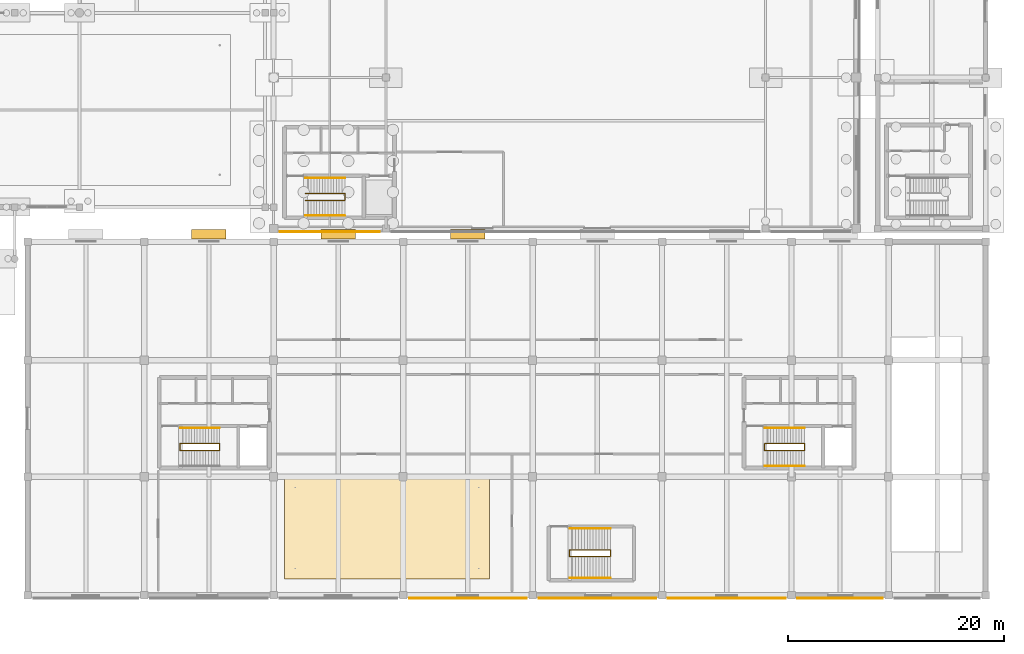
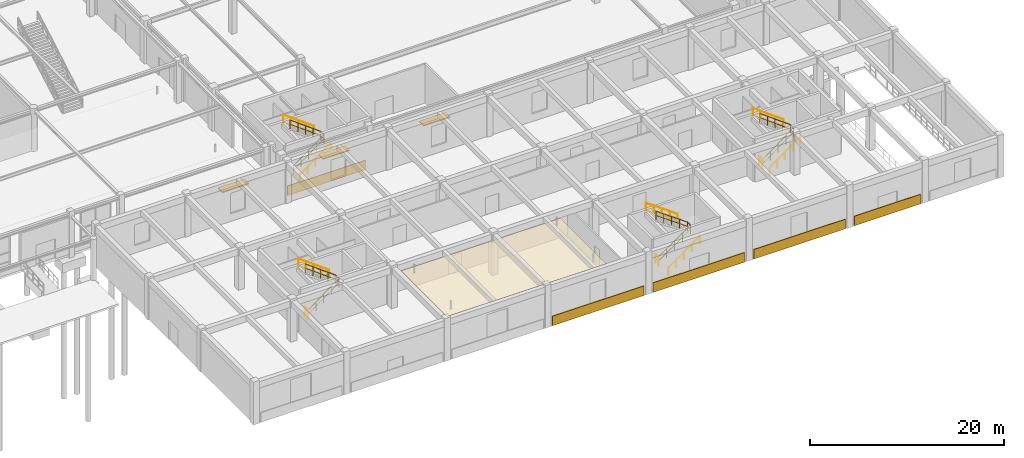
# One storey, part 51 of 53: 14 railings, 6 coverings, 3 shading devices.
"""IFC4 building model written with IfcOpenShell, lengths in metres."""

from ifc_helpers import new_model, si_unit, derived_unit, direction, frame, origin, origin_2d, place, context, subcontext, project, spatial, polyline, rectangle, circle, outline, extrude, material, layer, layer_set, type_object, element, save


model = new_model("IFC4")

# Units and contexts
model_context = context("Model", 3, precision=1e-05, world=origin(), true_north=direction((0.0, 1.0)))
body_context = subcontext(model_context, "Body", "Model", "MODEL_VIEW")
ifc_project = project(units=[si_unit("LENGTHUNIT", "METRE"), si_unit("AREAUNIT", "SQUARE_METRE"), si_unit("VOLUMEUNIT", "CUBIC_METRE"), si_unit("PLANEANGLEUNIT", "RADIAN"), si_unit("MASSUNIT", "GRAM", prefix="KILO"), derived_unit("THERMALTRANSMITTANCEUNIT", [(si_unit("POWERUNIT", "WATT"), 1), (si_unit("LENGTHUNIT", "METRE"), -2), (si_unit("THERMODYNAMICTEMPERATUREUNIT", "KELVIN"), -1)])], contexts=[model_context])

# Site, building, storey
site_placement = place(None, origin())
site = spatial("IfcSite", under=ifc_project, at=site_placement, CompositionType="ELEMENT")
building_placement = place(site_placement, origin())
building = spatial("IfcBuilding", under=site, at=building_placement, Name="Almenara Railside Exhibition Hall", CompositionType="ELEMENT")
storey_placement = place(building_placement, origin())
storey = spatial("IfcBuildingStorey", under=building, at=storey_placement, Name="L00", CompositionType="ELEMENT", Elevation=0.0)

# Covering
ifc_material_1 = material(Name="Perforated iroko acoustic timber ceiling", Category="wood")
ifc_layer_1 = layer(ifc_material_1, 0.0400390625, Name="Perforated iroko acoustic timber ceiling")
ifc_layer_set_1 = layer_set([ifc_layer_1], Name="Perforated iroko acoustic timber ceiling")
covering_type_1 = type_object("IfcCoveringType", Name="Acoustic Slatted Timber Ceiling 40mm", PredefinedType="CEILING", material=ifc_layer_set_1)
covering_1_placement = place(storey_placement, frame((0.0, 0.0, 4.06005859375)))
element("IfcCovering", 1, at=covering_1_placement, inside=storey, type_object=covering_type_1, Name="Acoustic timber ceiling 003", PredefinedType="CEILING", context=body_context, shape_type="SweptSolid", body=[
    extrude(outline(polyline([(139.0, 1.5), (158.0, 1.5), (158.0, 11.0), (139.0, 11.0), (139.0, 1.5)])), origin(), (0.0, 0.0, 1.0), 0.0400390625),
])

# Shading devices
ifc_material_2 = material(Name="Bronze-anodised aluminium solar brise-soleil", Category="aluminium")
shading_device_type = type_object("IfcShadingDeviceType", Name="North Solar Brise-Soleil Hood 900mm", PredefinedType="USERDEFINED", material=ifc_material_2)
for number, where, z_axis, x_axis, name in (
    (2, (132.0, 33.47509765625, 3.56005859375), (0.0, 0.0, 1.0), (-1.0, 0.0, 0.0), "Solar brise-soleil 0015"),
    (3, (144.0, 33.47509765625, 3.56005859375), (0.0, 0.0, 1.0), (-1.0, 0.0, 0.0), "Solar brise-soleil 0016"),
    (4, (156.0, 33.47509765625, 3.56005859375), (0.0, 0.0, 1.0), (-1.0, 0.0, 0.0), "Solar brise-soleil 0017"),
):
    element("IfcShadingDevice", number, at=place(storey_placement, frame(where, z_axis=z_axis, x_axis=x_axis)), inside=storey, type_object=shading_device_type, Name=name, ObjectType="BRISE_SOLEIL", PredefinedType="USERDEFINED", context=body_context, shape_type="SweptSolid", body=[
        extrude(rectangle(XDim=3.199951171875, YDim=0.89990234375, at=origin_2d()), origin(), (0.0, 0.0, 1.0), 0.139892578125),
    ])

# Coverings
ifc_material_3 = material(Name="Koppie quartzite dressed stone cladding", Category="masonry")
ifc_layer_2 = layer(ifc_material_3, 0.080078125, Name="Koppie quartzite dressed stone cladding")
ifc_layer_set_2 = layer_set([ifc_layer_2], Name="Koppie quartzite dressed stone cladding")
covering_type_2 = type_object("IfcCoveringType", Name="Rusticated Koppie Quartzite Plinth Cladding 80mm", PredefinedType="CLADDING", material=ifc_layer_set_2)
covering_2_placement = place(storey_placement, frame((143.199951171875, 33.705078125, 0.0), z_axis=(0.0, 0.0, 1.0), x_axis=(1.0, 0.0, 0.0)))
element("IfcCovering", 5, at=covering_2_placement, inside=storey, type_object=covering_type_2, Name="Stone plinth cladding 0023", PredefinedType="CLADDING", context=body_context, shape_type="SweptSolid", body=[
    extrude(rectangle(XDim=9.300048828125, YDim=0.080078125, at=origin_2d()), origin(), (0.0, 0.0, 1.0), 1.199951171875),
])
for number, where, z_axis, x_axis, name in (
    (6, (156.0, -0.264892578125, 0.0), (0.0, 0.0, 1.0), (1.0, 0.0, 0.0), "Stone plinth cladding 0050"),
    (7, (168.0, -0.264892578125, 0.0), (0.0, 0.0, 1.0), (1.0, 0.0, 0.0), "Stone plinth cladding 0051"),
    (8, (180.0, -0.264892578125, 0.0), (0.0, 0.0, 1.0), (1.0, 0.0, 0.0), "Stone plinth cladding 0052"),
):
    element("IfcCovering", number, at=place(storey_placement, frame(where, z_axis=z_axis, x_axis=x_axis)), inside=storey, type_object=covering_type_2, Name=name, PredefinedType="CLADDING", context=body_context, shape_type="SweptSolid", body=[
        extrude(rectangle(XDim=10.89990234375, YDim=0.080078125, at=origin_2d()), origin(), (0.0, 0.0, 1.0), 1.199951171875),
    ])
covering_3_placement = place(storey_placement, frame((190.5, -0.264892578125, 0.0), z_axis=(0.0, 0.0, 1.0), x_axis=(1.0, 0.0, 0.0)))
element("IfcCovering", 9, at=covering_3_placement, inside=storey, type_object=covering_type_2, Name="Stone plinth cladding 0053", PredefinedType="CLADDING", context=body_context, shape_type="SweptSolid", body=[
    extrude(rectangle(XDim=7.89990234375, YDim=0.080078125, at=origin_2d()), origin(), (0.0, 0.0, 1.0), 1.199951171875),
])

# Railings
ifc_material_4 = material(Name="Bronze-finished tubular steel handrail", Category="steel")
railing_type_1 = type_object("IfcRailingType", Name="Stair Pitch Handrail 920mm", PredefinedType="HANDRAIL", material=ifc_material_4)
railing_1_placement = place(storey_placement, frame((140.949951171875, 35.199951171875, 0.0)))
element("IfcRailing", 10, at=railing_1_placement, inside=storey, type_object=railing_type_1, Name="HR-L00-0017", PredefinedType="HANDRAIL", context=body_context, shape_type="SweptSolid", body=[
    extrude(circle(Radius=0.02392578125, at=origin_2d()), frame((0.0, 0.0, 0.89599609375), z_axis=(0.803944740431, 0.0, 0.594704005647), x_axis=(0.0, 1.0, 0.0)), (0.0, 0.0, 1.0), 4.5400390625),
    extrude(circle(Radius=0.02099609375, at=origin_2d()), origin(), (0.0, 0.0, 1.0), 0.871826171875),
    extrude(circle(Radius=0.02099609375, at=origin_2d()), frame((0.91259765625, 0.0, 0.675048828125)), (0.0, 0.0, 1.0), 0.871826171875),
    extrude(circle(Radius=0.02099609375, at=origin_2d()), frame((1.824951171875, 0.0, 1.35009765625)), (0.0, 0.0, 1.0), 0.871826171875),
    extrude(circle(Radius=0.02099609375, at=origin_2d()), frame((2.7373046875, 0.0, 2.02490234375)), (0.0, 0.0, 1.0), 0.871826171875),
    extrude(circle(Radius=0.02099609375, at=origin_2d()), frame((3.64990234375, 0.0, 2.699951171875)), (0.0, 0.0, 1.0), 0.871826171875),
])
railing_2_placement = place(storey_placement, frame((144.599853515625, 38.699951171875, 2.699951171875)))
element("IfcRailing", 11, at=railing_2_placement, inside=storey, type_object=railing_type_1, Name="HR-L00-0018", PredefinedType="HANDRAIL", context=body_context, shape_type="SweptSolid", body=[
    extrude(circle(Radius=0.02392578125, at=origin_2d()), frame((0.0, 0.0, 0.89599609375), z_axis=(-0.803944740431, 0.0, 0.594704005647), x_axis=(0.0, -1.0, 0.0)), (0.0, 0.0, 1.0), 4.5400390625),
    extrude(circle(Radius=0.02099609375, at=origin_2d()), origin(), (0.0, 0.0, 1.0), 0.871826171875),
    extrude(circle(Radius=0.02099609375, at=origin_2d()), frame((-0.91259765625, 0.0, 0.675048828125)), (0.0, 0.0, 1.0), 0.871826171875),
    extrude(circle(Radius=0.02099609375, at=origin_2d()), frame((-1.824951171875, 0.0, 1.35009765625)), (0.0, 0.0, 1.0), 0.871826171875),
    extrude(circle(Radius=0.02099609375, at=origin_2d()), frame((-2.7373046875, 0.0, 2.02490234375)), (0.0, 0.0, 1.0), 0.871826171875),
    extrude(circle(Radius=0.02099609375, at=origin_2d()), frame((-3.64990234375, 0.0, 2.699951171875)), (0.0, 0.0, 1.0), 0.871826171875),
])
railing_3_placement = place(storey_placement, frame((132.999755859375, 15.5, 2.699951171875)))
element("IfcRailing", 12, at=railing_3_placement, inside=storey, type_object=railing_type_1, Name="HR-L00-0034", PredefinedType="HANDRAIL", context=body_context, shape_type="SweptSolid", body=[
    extrude(circle(Radius=0.02392578125, at=origin_2d()), frame((0.0, 0.0, 0.89599609375), z_axis=(-0.803925720239, 0.0, 0.594729717046), x_axis=(0.0, -1.0, 0.0)), (0.0, 0.0, 1.0), 4.539794921875),
    extrude(circle(Radius=0.02099609375, at=origin_2d()), origin(), (0.0, 0.0, 1.0), 0.871826171875),
    extrude(circle(Radius=0.02099609375, at=origin_2d()), frame((-0.912353515625, 0.0, 0.675048828125)), (0.0, 0.0, 1.0), 0.871826171875),
    extrude(circle(Radius=0.02099609375, at=origin_2d()), frame((-1.82470703125, 0.0, 1.35009765625)), (0.0, 0.0, 1.0), 0.871826171875),
    extrude(circle(Radius=0.02099609375, at=origin_2d()), frame((-2.7373046875, 0.0, 2.02490234375)), (0.0, 0.0, 1.0), 0.871826171875),
    extrude(circle(Radius=0.02099609375, at=origin_2d()), frame((-3.649658203125, 0.0, 2.699951171875)), (0.0, 0.0, 1.0), 0.871826171875),
])
railing_4_placement = place(storey_placement, frame((183.550048828125, 12.0, 0.0)))
element("IfcRailing", 13, at=railing_4_placement, inside=storey, type_object=railing_type_1, Name="HR-L00-0049", PredefinedType="HANDRAIL", context=body_context, shape_type="SweptSolid", body=[
    extrude(circle(Radius=0.02392578125, at=origin_2d()), frame((0.0, 0.0, 0.89599609375), z_axis=(0.803925720239, 0.0, 0.594729717046), x_axis=(0.0, 1.0, 0.0)), (0.0, 0.0, 1.0), 4.539794921875),
    extrude(circle(Radius=0.02099609375, at=origin_2d()), origin(), (0.0, 0.0, 1.0), 0.871826171875),
    extrude(circle(Radius=0.02099609375, at=origin_2d()), frame((0.912353515625, 0.0, 0.675048828125)), (0.0, 0.0, 1.0), 0.871826171875),
    extrude(circle(Radius=0.02099609375, at=origin_2d()), frame((1.82470703125, 0.0, 1.35009765625)), (0.0, 0.0, 1.0), 0.871826171875),
    extrude(circle(Radius=0.02099609375, at=origin_2d()), frame((2.7373046875, 0.0, 2.02490234375)), (0.0, 0.0, 1.0), 0.871826171875),
    extrude(circle(Radius=0.02099609375, at=origin_2d()), frame((3.649658203125, 0.0, 2.699951171875)), (0.0, 0.0, 1.0), 0.871826171875),
])
railing_5_placement = place(storey_placement, frame((187.19970703125, 15.5, 2.699951171875)))
element("IfcRailing", 14, at=railing_5_placement, inside=storey, type_object=railing_type_1, Name="HR-L00-0050", PredefinedType="HANDRAIL", context=body_context, shape_type="SweptSolid", body=[
    extrude(circle(Radius=0.02392578125, at=origin_2d()), frame((0.0, 0.0, 0.89599609375), z_axis=(-0.803925720239, 0.0, 0.594729717046), x_axis=(0.0, -1.0, 0.0)), (0.0, 0.0, 1.0), 4.539794921875),
    extrude(circle(Radius=0.02099609375, at=origin_2d()), origin(), (0.0, 0.0, 1.0), 0.871826171875),
    extrude(circle(Radius=0.02099609375, at=origin_2d()), frame((-0.912353515625, 0.0, 0.675048828125)), (0.0, 0.0, 1.0), 0.871826171875),
    extrude(circle(Radius=0.02099609375, at=origin_2d()), frame((-1.82470703125, 0.0, 1.35009765625)), (0.0, 0.0, 1.0), 0.871826171875),
    extrude(circle(Radius=0.02099609375, at=origin_2d()), frame((-2.7373046875, 0.0, 2.02490234375)), (0.0, 0.0, 1.0), 0.871826171875),
    extrude(circle(Radius=0.02099609375, at=origin_2d()), frame((-3.649658203125, 0.0, 2.699951171875)), (0.0, 0.0, 1.0), 0.871826171875),
])
railing_6_placement = place(storey_placement, frame((165.449951171875, 1.60009765625, 0.0)))
element("IfcRailing", 15, at=railing_6_placement, inside=storey, type_object=railing_type_1, Name="HR-L00-0113", PredefinedType="HANDRAIL", context=body_context, shape_type="SweptSolid", body=[
    extrude(circle(Radius=0.02392578125, at=origin_2d()), frame((0.0, 0.0, 0.89599609375), z_axis=(0.813740573448, 0.0, 0.581228250453), x_axis=(0.0, 1.0, 0.0)), (0.0, 0.0, 1.0), 4.645263671875),
    extrude(circle(Radius=0.02099609375, at=origin_2d()), origin(), (0.0, 0.0, 1.0), 0.871826171875),
    extrude(circle(Radius=0.02099609375, at=origin_2d()), frame((0.945068359375, 0.0, 0.675048828125)), (0.0, 0.0, 1.0), 0.871826171875),
    extrude(circle(Radius=0.02099609375, at=origin_2d()), frame((1.89013671875, 0.0, 1.35009765625)), (0.0, 0.0, 1.0), 0.871826171875),
    extrude(circle(Radius=0.02099609375, at=origin_2d()), frame((2.8349609375, 0.0, 2.02490234375)), (0.0, 0.0, 1.0), 0.871826171875),
    extrude(circle(Radius=0.02099609375, at=origin_2d()), frame((3.780029296875, 0.0, 2.699951171875)), (0.0, 0.0, 1.0), 0.871826171875),
])
railing_7_placement = place(storey_placement, frame((169.22998046875, 6.199951171875, 2.699951171875)))
element("IfcRailing", 16, at=railing_7_placement, inside=storey, type_object=railing_type_1, Name="HR-L00-0114", PredefinedType="HANDRAIL", context=body_context, shape_type="SweptSolid", body=[
    extrude(circle(Radius=0.02392578125, at=origin_2d()), frame((0.0, 0.0, 0.89599609375), z_axis=(-0.813740573448, 0.0, 0.581228250453), x_axis=(0.0, -1.0, 0.0)), (0.0, 0.0, 1.0), 4.645263671875),
    extrude(circle(Radius=0.02099609375, at=origin_2d()), origin(), (0.0, 0.0, 1.0), 0.871826171875),
    extrude(circle(Radius=0.02099609375, at=origin_2d()), frame((-0.945068359375, 0.0, 0.675048828125)), (0.0, 0.0, 1.0), 0.871826171875),
    extrude(circle(Radius=0.02099609375, at=origin_2d()), frame((-1.89013671875, 0.0, 1.35009765625)), (0.0, 0.0, 1.0), 0.871826171875),
    extrude(circle(Radius=0.02099609375, at=origin_2d()), frame((-2.8349609375, 0.0, 2.02490234375)), (0.0, 0.0, 1.0), 0.871826171875),
    extrude(circle(Radius=0.02099609375, at=origin_2d()), frame((-3.780029296875, 0.0, 2.699951171875)), (0.0, 0.0, 1.0), 0.871826171875),
])
ifc_material_5 = material(Name="Dark wrought-iron stair balustrade")
railing_type_2 = type_object("IfcRailingType", Name="Stair Well Guard Rail 1120mm", PredefinedType="BALUSTRADE", material=ifc_material_5)
railing_8_placement = place(storey_placement, frame((140.949951171875, 36.6298828125, 0.0)))
element("IfcRailing", 17, at=railing_8_placement, inside=storey, type_object=railing_type_2, Name="SG-L00-0019", PredefinedType="BALUSTRADE", context=body_context, shape_type="SweptSolid", body=[
    extrude(circle(Radius=0.02392578125, at=origin_2d()), frame((0.0, 0.0, 1.09619140625), z_axis=(0.803944740431, 0.0, 0.594704005647), x_axis=(0.0, 1.0, 0.0)), (0.0, 0.0, 1.0), 4.5400390625),
    extrude(circle(Radius=0.01416015625, at=origin_2d()), frame((0.0, 0.0, 0.56005859375), z_axis=(0.803944740431, 0.0, 0.594704005647), x_axis=(0.0, 1.0, 0.0)), (0.0, 0.0, 1.0), 4.5400390625),
    extrude(circle(Radius=0.02392578125, at=origin_2d()), frame((3.64990234375, 0.0, 3.7958984375), z_axis=(0.0, 1.0, 0.0), x_axis=(-1.0, 0.0, 0.0)), (0.0, 0.0, 1.0), 0.64013671875),
    extrude(circle(Radius=0.01416015625, at=origin_2d()), frame((3.64990234375, 0.0, 3.260009765625), z_axis=(0.0, 1.0, 0.0), x_axis=(-1.0, 0.0, 0.0)), (0.0, 0.0, 1.0), 0.64013671875),
    extrude(circle(Radius=0.02392578125, at=origin_2d()), frame((3.64990234375, 0.64013671875, 3.7958984375), z_axis=(-0.803944740431, 0.0, 0.594704005647), x_axis=(0.0, -1.0, 0.0)), (0.0, 0.0, 1.0), 4.5400390625),
    extrude(circle(Radius=0.01416015625, at=origin_2d()), frame((3.64990234375, 0.64013671875, 3.260009765625), z_axis=(-0.803944740431, 0.0, 0.594704005647), x_axis=(0.0, -1.0, 0.0)), (0.0, 0.0, 1.0), 4.5400390625),
    extrude(circle(Radius=0.02099609375, at=origin_2d()), origin(), (0.0, 0.0, 1.0), 1.072021484375),
    extrude(circle(Radius=0.02099609375, at=origin_2d()), frame((0.91259765625, 0.0, 0.675048828125)), (0.0, 0.0, 1.0), 1.072021484375),
    extrude(circle(Radius=0.02099609375, at=origin_2d()), frame((1.824951171875, 0.0, 1.35009765625)), (0.0, 0.0, 1.0), 1.072021484375),
    extrude(circle(Radius=0.02099609375, at=origin_2d()), frame((2.7373046875, 0.0, 2.02490234375)), (0.0, 0.0, 1.0), 1.072021484375),
    extrude(circle(Radius=0.02099609375, at=origin_2d()), frame((3.64990234375, 0.0, 2.699951171875)), (0.0, 0.0, 1.0), 1.072021484375),
    extrude(circle(Radius=0.02099609375, at=origin_2d()), frame((3.64990234375, 0.64013671875, 2.699951171875)), (0.0, 0.0, 1.0), 1.072021484375),
    extrude(circle(Radius=0.02099609375, at=origin_2d()), frame((2.7373046875, 0.64013671875, 3.375)), (0.0, 0.0, 1.0), 1.072021484375),
    extrude(circle(Radius=0.02099609375, at=origin_2d()), frame((1.824951171875, 0.64013671875, 4.0498046875)), (0.0, 0.0, 1.0), 1.072021484375),
    extrude(circle(Radius=0.02099609375, at=origin_2d()), frame((0.91259765625, 0.64013671875, 4.724853515625)), (0.0, 0.0, 1.0), 1.072021484375),
    extrude(circle(Radius=0.02099609375, at=origin_2d()), frame((0.0, 0.64013671875, 5.39990234375)), (0.0, 0.0, 1.0), 1.072021484375),
])
railing_9_placement = place(storey_placement, frame((129.320068359375, 13.429931640625, 0.0)))
element("IfcRailing", 18, at=railing_9_placement, inside=storey, type_object=railing_type_2, Name="SG-L00-0032", PredefinedType="BALUSTRADE", context=body_context, shape_type="SweptSolid", body=[
    extrude(circle(Radius=0.02392578125, at=origin_2d()), frame((0.0, 0.0, 1.09619140625), z_axis=(0.0, 1.0, 0.0), x_axis=(-1.0, 0.0, 0.0)), (0.0, 0.0, 1.0), 0.64013671875),
    extrude(circle(Radius=0.01416015625, at=origin_2d()), frame((0.0, 0.0, 0.56005859375), z_axis=(0.0, 1.0, 0.0), x_axis=(-1.0, 0.0, 0.0)), (0.0, 0.0, 1.0), 0.64013671875),
    extrude(circle(Radius=0.02099609375, at=origin_2d()), origin(), (0.0, 0.0, 1.0), 1.072021484375),
    extrude(circle(Radius=0.02099609375, at=origin_2d()), frame((0.0, 0.64013671875, 0.0)), (0.0, 0.0, 1.0), 1.072021484375),
])
railing_10_placement = place(storey_placement, frame((129.35009765625, 13.429931640625, 0.0)))
element("IfcRailing", 19, at=railing_10_placement, inside=storey, type_object=railing_type_2, Name="SG-L00-0035", PredefinedType="BALUSTRADE", context=body_context, shape_type="SweptSolid", body=[
    extrude(circle(Radius=0.02392578125, at=origin_2d()), frame((0.0, 0.0, 1.09619140625), z_axis=(0.803925720239, 0.0, 0.594729717046), x_axis=(0.0, 1.0, 0.0)), (0.0, 0.0, 1.0), 4.539794921875),
    extrude(circle(Radius=0.01416015625, at=origin_2d()), frame((0.0, 0.0, 0.56005859375), z_axis=(0.803925720239, 0.0, 0.594729717046), x_axis=(0.0, 1.0, 0.0)), (0.0, 0.0, 1.0), 4.539794921875),
    extrude(circle(Radius=0.02392578125, at=origin_2d()), frame((3.649658203125, 0.0, 3.7958984375), z_axis=(0.0, 1.0, 0.0), x_axis=(-1.0, 0.0, 0.0)), (0.0, 0.0, 1.0), 0.64013671875),
    extrude(circle(Radius=0.01416015625, at=origin_2d()), frame((3.649658203125, 0.0, 3.260009765625), z_axis=(0.0, 1.0, 0.0), x_axis=(-1.0, 0.0, 0.0)), (0.0, 0.0, 1.0), 0.64013671875),
    extrude(circle(Radius=0.02392578125, at=origin_2d()), frame((3.649658203125, 0.64013671875, 3.7958984375), z_axis=(-0.803925720239, 0.0, 0.594729717046), x_axis=(0.0, -1.0, 0.0)), (0.0, 0.0, 1.0), 4.539794921875),
    extrude(circle(Radius=0.01416015625, at=origin_2d()), frame((3.649658203125, 0.64013671875, 3.260009765625), z_axis=(-0.803925720239, 0.0, 0.594729717046), x_axis=(0.0, -1.0, 0.0)), (0.0, 0.0, 1.0), 4.539794921875),
    extrude(circle(Radius=0.02099609375, at=origin_2d()), origin(), (0.0, 0.0, 1.0), 1.072021484375),
    extrude(circle(Radius=0.02099609375, at=origin_2d()), frame((0.912353515625, 0.0, 0.675048828125)), (0.0, 0.0, 1.0), 1.072021484375),
    extrude(circle(Radius=0.02099609375, at=origin_2d()), frame((1.82470703125, 0.0, 1.35009765625)), (0.0, 0.0, 1.0), 1.072021484375),
    extrude(circle(Radius=0.02099609375, at=origin_2d()), frame((2.7373046875, 0.0, 2.02490234375)), (0.0, 0.0, 1.0), 1.072021484375),
    extrude(circle(Radius=0.02099609375, at=origin_2d()), frame((3.649658203125, 0.0, 2.699951171875)), (0.0, 0.0, 1.0), 1.072021484375),
    extrude(circle(Radius=0.02099609375, at=origin_2d()), frame((3.649658203125, 0.64013671875, 2.699951171875)), (0.0, 0.0, 1.0), 1.072021484375),
    extrude(circle(Radius=0.02099609375, at=origin_2d()), frame((2.7373046875, 0.64013671875, 3.375)), (0.0, 0.0, 1.0), 1.072021484375),
    extrude(circle(Radius=0.02099609375, at=origin_2d()), frame((1.82470703125, 0.64013671875, 4.0498046875)), (0.0, 0.0, 1.0), 1.072021484375),
    extrude(circle(Radius=0.02099609375, at=origin_2d()), frame((0.912353515625, 0.64013671875, 4.724853515625)), (0.0, 0.0, 1.0), 1.072021484375),
    extrude(circle(Radius=0.02099609375, at=origin_2d()), frame((0.0, 0.64013671875, 5.39990234375)), (0.0, 0.0, 1.0), 1.072021484375),
])
railing_11_placement = place(storey_placement, frame((183.52001953125, 13.429931640625, 0.0)))
element("IfcRailing", 20, at=railing_11_placement, inside=storey, type_object=railing_type_2, Name="SG-L00-0048", PredefinedType="BALUSTRADE", context=body_context, shape_type="SweptSolid", body=[
    extrude(circle(Radius=0.02392578125, at=origin_2d()), frame((0.0, 0.0, 1.09619140625), z_axis=(0.0, 1.0, 0.0), x_axis=(-1.0, 0.0, 0.0)), (0.0, 0.0, 1.0), 0.64013671875),
    extrude(circle(Radius=0.01416015625, at=origin_2d()), frame((0.0, 0.0, 0.56005859375), z_axis=(0.0, 1.0, 0.0), x_axis=(-1.0, 0.0, 0.0)), (0.0, 0.0, 1.0), 0.64013671875),
    extrude(circle(Radius=0.02099609375, at=origin_2d()), origin(), (0.0, 0.0, 1.0), 1.072021484375),
    extrude(circle(Radius=0.02099609375, at=origin_2d()), frame((0.0, 0.64013671875, 0.0)), (0.0, 0.0, 1.0), 1.072021484375),
])
railing_12_placement = place(storey_placement, frame((183.550048828125, 13.429931640625, 0.0)))
element("IfcRailing", 21, at=railing_12_placement, inside=storey, type_object=railing_type_2, Name="SG-L00-0051", PredefinedType="BALUSTRADE", context=body_context, shape_type="SweptSolid", body=[
    extrude(circle(Radius=0.02392578125, at=origin_2d()), frame((0.0, 0.0, 1.09619140625), z_axis=(0.803925720239, 0.0, 0.594729717046), x_axis=(0.0, 1.0, 0.0)), (0.0, 0.0, 1.0), 4.539794921875),
    extrude(circle(Radius=0.01416015625, at=origin_2d()), frame((0.0, 0.0, 0.56005859375), z_axis=(0.803925720239, 0.0, 0.594729717046), x_axis=(0.0, 1.0, 0.0)), (0.0, 0.0, 1.0), 4.539794921875),
    extrude(circle(Radius=0.02392578125, at=origin_2d()), frame((3.649658203125, 0.0, 3.7958984375), z_axis=(0.0, 1.0, 0.0), x_axis=(-1.0, 0.0, 0.0)), (0.0, 0.0, 1.0), 0.64013671875),
    extrude(circle(Radius=0.01416015625, at=origin_2d()), frame((3.649658203125, 0.0, 3.260009765625), z_axis=(0.0, 1.0, 0.0), x_axis=(-1.0, 0.0, 0.0)), (0.0, 0.0, 1.0), 0.64013671875),
    extrude(circle(Radius=0.02392578125, at=origin_2d()), frame((3.649658203125, 0.64013671875, 3.7958984375), z_axis=(-0.803925720239, 0.0, 0.594729717046), x_axis=(0.0, -1.0, 0.0)), (0.0, 0.0, 1.0), 4.539794921875),
    extrude(circle(Radius=0.01416015625, at=origin_2d()), frame((3.649658203125, 0.64013671875, 3.260009765625), z_axis=(-0.803925720239, 0.0, 0.594729717046), x_axis=(0.0, -1.0, 0.0)), (0.0, 0.0, 1.0), 4.539794921875),
    extrude(circle(Radius=0.02099609375, at=origin_2d()), origin(), (0.0, 0.0, 1.0), 1.072021484375),
    extrude(circle(Radius=0.02099609375, at=origin_2d()), frame((0.912353515625, 0.0, 0.675048828125)), (0.0, 0.0, 1.0), 1.072021484375),
    extrude(circle(Radius=0.02099609375, at=origin_2d()), frame((1.82470703125, 0.0, 1.35009765625)), (0.0, 0.0, 1.0), 1.072021484375),
    extrude(circle(Radius=0.02099609375, at=origin_2d()), frame((2.7373046875, 0.0, 2.02490234375)), (0.0, 0.0, 1.0), 1.072021484375),
    extrude(circle(Radius=0.02099609375, at=origin_2d()), frame((3.649658203125, 0.0, 2.699951171875)), (0.0, 0.0, 1.0), 1.072021484375),
    extrude(circle(Radius=0.02099609375, at=origin_2d()), frame((3.649658203125, 0.64013671875, 2.699951171875)), (0.0, 0.0, 1.0), 1.072021484375),
    extrude(circle(Radius=0.02099609375, at=origin_2d()), frame((2.7373046875, 0.64013671875, 3.375)), (0.0, 0.0, 1.0), 1.072021484375),
    extrude(circle(Radius=0.02099609375, at=origin_2d()), frame((1.82470703125, 0.64013671875, 4.0498046875)), (0.0, 0.0, 1.0), 1.072021484375),
    extrude(circle(Radius=0.02099609375, at=origin_2d()), frame((0.912353515625, 0.64013671875, 4.724853515625)), (0.0, 0.0, 1.0), 1.072021484375),
    extrude(circle(Radius=0.02099609375, at=origin_2d()), frame((0.0, 0.64013671875, 5.39990234375)), (0.0, 0.0, 1.0), 1.072021484375),
])
railing_13_placement = place(storey_placement, frame((165.419921875, 3.610107421875, 0.0)))
element("IfcRailing", 22, at=railing_13_placement, inside=storey, type_object=railing_type_2, Name="SG-L00-0112", PredefinedType="BALUSTRADE", context=body_context, shape_type="SweptSolid", body=[
    extrude(circle(Radius=0.02392578125, at=origin_2d()), frame((0.0, 0.0, 1.09619140625), z_axis=(0.0, 1.0, 0.0), x_axis=(-1.0, 0.0, 0.0)), (0.0, 0.0, 1.0), 0.579833984375),
    extrude(circle(Radius=0.01416015625, at=origin_2d()), frame((0.0, 0.0, 0.56005859375), z_axis=(0.0, 1.0, 0.0), x_axis=(-1.0, 0.0, 0.0)), (0.0, 0.0, 1.0), 0.579833984375),
    extrude(circle(Radius=0.02099609375, at=origin_2d()), origin(), (0.0, 0.0, 1.0), 1.072021484375),
    extrude(circle(Radius=0.02099609375, at=origin_2d()), frame((0.0, 0.579833984375, 0.0)), (0.0, 0.0, 1.0), 1.072021484375),
])
railing_14_placement = place(storey_placement, frame((165.449951171875, 3.610107421875, 0.0)))
element("IfcRailing", 23, at=railing_14_placement, inside=storey, type_object=railing_type_2, Name="SG-L00-0115", PredefinedType="BALUSTRADE", context=body_context, shape_type="SweptSolid", body=[
    extrude(circle(Radius=0.02392578125, at=origin_2d()), frame((0.0, 0.0, 1.09619140625), z_axis=(0.813740573448, 0.0, 0.581228250453), x_axis=(0.0, 1.0, 0.0)), (0.0, 0.0, 1.0), 4.645263671875),
    extrude(circle(Radius=0.01416015625, at=origin_2d()), frame((0.0, 0.0, 0.56005859375), z_axis=(0.813740573448, 0.0, 0.581228250453), x_axis=(0.0, 1.0, 0.0)), (0.0, 0.0, 1.0), 4.645263671875),
    extrude(circle(Radius=0.02392578125, at=origin_2d()), frame((3.780029296875, 0.0, 3.7958984375), z_axis=(0.0, 1.0, 0.0), x_axis=(-1.0, 0.0, 0.0)), (0.0, 0.0, 1.0), 0.579833984375),
    extrude(circle(Radius=0.01416015625, at=origin_2d()), frame((3.780029296875, 0.0, 3.260009765625), z_axis=(0.0, 1.0, 0.0), x_axis=(-1.0, 0.0, 0.0)), (0.0, 0.0, 1.0), 0.579833984375),
    extrude(circle(Radius=0.02392578125, at=origin_2d()), frame((3.780029296875, 0.579833984375, 3.7958984375), z_axis=(-0.813740573448, 0.0, 0.581228250453), x_axis=(0.0, -1.0, 0.0)), (0.0, 0.0, 1.0), 4.645263671875),
    extrude(circle(Radius=0.01416015625, at=origin_2d()), frame((3.780029296875, 0.579833984375, 3.260009765625), z_axis=(-0.813740573448, 0.0, 0.581228250453), x_axis=(0.0, -1.0, 0.0)), (0.0, 0.0, 1.0), 4.645263671875),
    extrude(circle(Radius=0.02099609375, at=origin_2d()), origin(), (0.0, 0.0, 1.0), 1.072021484375),
    extrude(circle(Radius=0.02099609375, at=origin_2d()), frame((0.945068359375, 0.0, 0.675048828125)), (0.0, 0.0, 1.0), 1.072021484375),
    extrude(circle(Radius=0.02099609375, at=origin_2d()), frame((1.89013671875, 0.0, 1.35009765625)), (0.0, 0.0, 1.0), 1.072021484375),
    extrude(circle(Radius=0.02099609375, at=origin_2d()), frame((2.8349609375, 0.0, 2.02490234375)), (0.0, 0.0, 1.0), 1.072021484375),
    extrude(circle(Radius=0.02099609375, at=origin_2d()), frame((3.780029296875, 0.0, 2.699951171875)), (0.0, 0.0, 1.0), 1.072021484375),
    extrude(circle(Radius=0.02099609375, at=origin_2d()), frame((3.780029296875, 0.579833984375, 2.699951171875)), (0.0, 0.0, 1.0), 1.072021484375),
    extrude(circle(Radius=0.02099609375, at=origin_2d()), frame((2.8349609375, 0.579833984375, 3.375)), (0.0, 0.0, 1.0), 1.072021484375),
    extrude(circle(Radius=0.02099609375, at=origin_2d()), frame((1.89013671875, 0.579833984375, 4.0498046875)), (0.0, 0.0, 1.0), 1.072021484375),
    extrude(circle(Radius=0.02099609375, at=origin_2d()), frame((0.945068359375, 0.579833984375, 4.724853515625)), (0.0, 0.0, 1.0), 1.072021484375),
    extrude(circle(Radius=0.02099609375, at=origin_2d()), frame((0.0, 0.579833984375, 5.39990234375)), (0.0, 0.0, 1.0), 1.072021484375),
])

save(model, "model.ifc")
